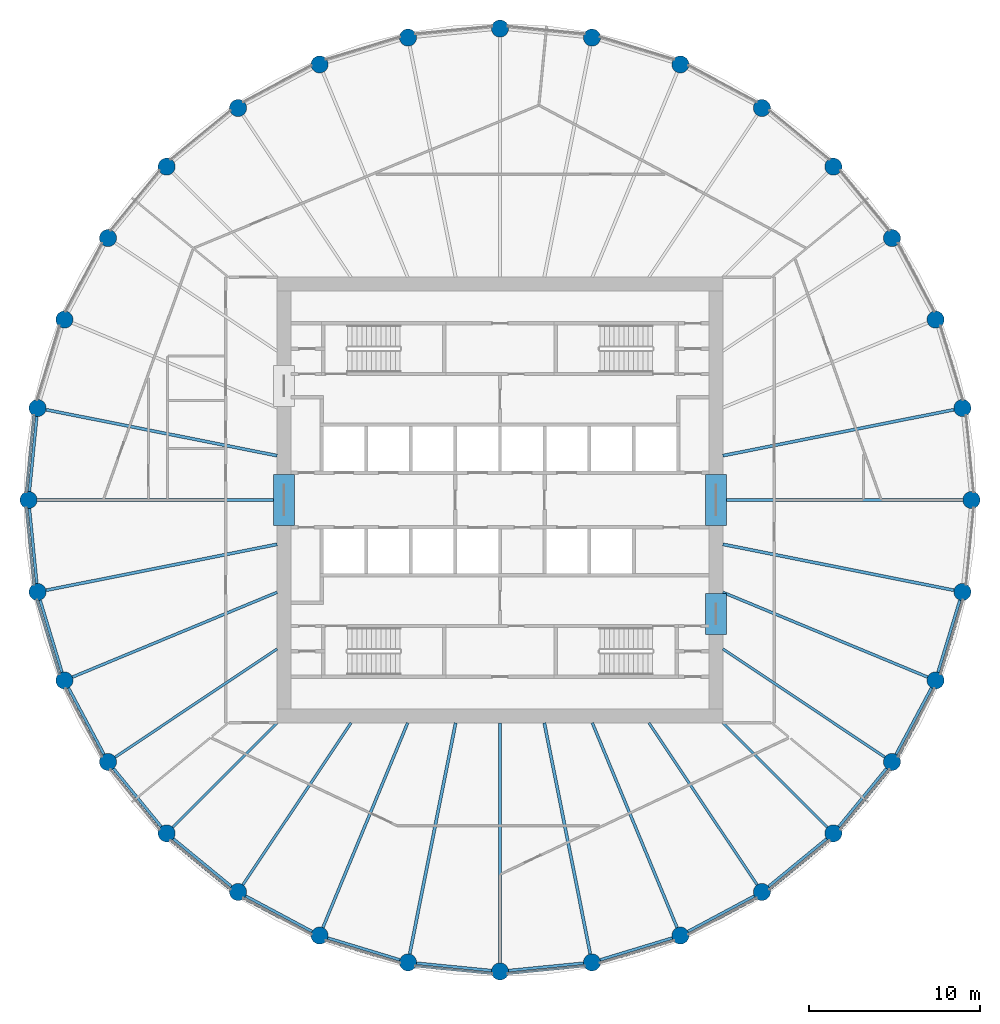
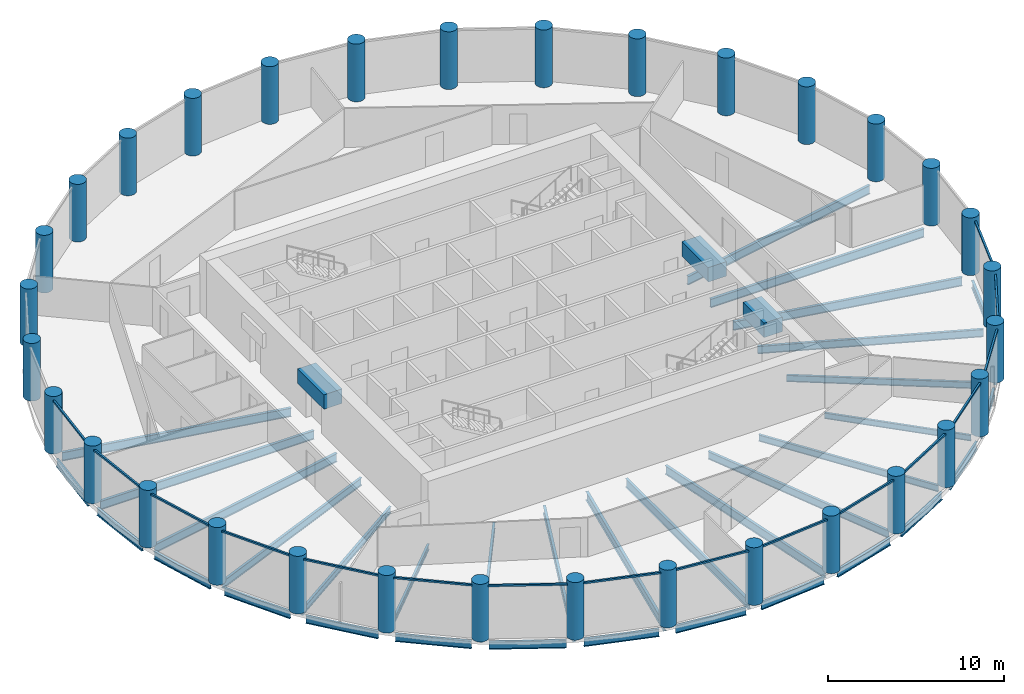
# One storey, part 1 of 8: 38 beams, 32 columns, 16 members, 16 elements without a shape of their own.
"""IFC4 building model written with IfcOpenShell, lengths in metres."""

from ifc_helpers import new_model, si_unit, direction, frame, origin, origin_2d, place, context, subcontext, project, spatial, rectangle, circle, i_section, extrude, material, material_profile, profile_set, type_object, element, aggregate, save


model = new_model("IFC4")

# Units and contexts
model_context = context("Model", 3, precision=1e-05, world=origin(), true_north=direction((0.0, 1.0)))
body_context = subcontext(model_context, "Body", "Model", "MODEL_VIEW")
ifc_project = project(units=[si_unit("LENGTHUNIT", "METRE"), si_unit("AREAUNIT", "SQUARE_METRE"), si_unit("VOLUMEUNIT", "CUBIC_METRE"), si_unit("PLANEANGLEUNIT", "RADIAN"), si_unit("MASSUNIT", "GRAM", prefix="KILO")], contexts=[model_context])

# Site, building, storey
site_placement = place(None, origin())
site = spatial("IfcSite", under=ifc_project, at=site_placement, CompositionType="ELEMENT")
building_placement = place(site_placement, origin())
building = spatial("IfcBuilding", under=site, at=building_placement, Name="Corvane Civic Tower", CompositionType="ELEMENT")
storey_placement = place(building_placement, frame((0.0, 0.0, 241.5)))
storey = spatial("IfcBuildingStorey", under=building, at=storey_placement, Name="L57", CompositionType="ELEMENT", Elevation=241.5)

# Columns
ifc_material_1 = material(Name="Concrete C60/75", Category="concrete")
ifc_material_profile_1 = material_profile(ifc_material_1, circle(Radius=0.5, at=origin_2d()), Name="COLUMN 1000")
ifc_profile_set_1 = profile_set([ifc_material_profile_1], Name="Concrete C60/75")
column_type = type_object("IfcColumnType", Name="RC COLUMN COLUMN 1000", PredefinedType="COLUMN", material=ifc_profile_set_1)
for number, where, z_axis, x_axis, name in (
    (1, (0.0, 27.5, 0.0), (0.0, 0.0, 1.0), (1.0, 0.0, 0.0), "COL-L57-D01"),
    (2, (5.364990234375, 26.9716796875, 0.0), (0.0, 0.0, 1.0), (1.0, 0.0, 0.0), "COL-L57-D02"),
    (3, (10.523681640625, 25.40673828125, 0.0), (0.0, 0.0, 1.0), (1.0, 0.0, 0.0), "COL-L57-D03"),
    (4, (15.278076171875, 22.865478515625, 0.0), (0.0, 0.0, 1.0), (1.0, 0.0, 0.0), "COL-L57-D04"),
    (5, (19.445556640625, 19.445556640625, 0.0), (0.0, 0.0, 1.0), (1.0, 0.0, 0.0), "COL-L57-D05"),
    (6, (22.865478515625, 15.278076171875, 0.0), (0.0, 0.0, 1.0), (1.0, 0.0, 0.0), "COL-L57-D06"),
    (7, (25.40673828125, 10.523681640625, 0.0), (0.0, 0.0, 1.0), (1.0, 0.0, 0.0), "COL-L57-D07"),
    (8, (26.9716796875, 5.364990234375, 0.0), (0.0, 0.0, 1.0), (1.0, 0.0, 0.0), "COL-L57-D08"),
    (9, (27.5, 0.0, 0.0), (0.0, 0.0, 1.0), (1.0, 0.0, 0.0), "COL-L57-D09"),
    (10, (26.9716796875, -5.364990234375, 0.0), (0.0, 0.0, 1.0), (1.0, 0.0, 0.0), "COL-L57-D10"),
    (11, (25.40673828125, -10.523681640625, 0.0), (0.0, 0.0, 1.0), (1.0, 0.0, 0.0), "COL-L57-D11"),
    (12, (22.865478515625, -15.278076171875, 0.0), (0.0, 0.0, 1.0), (1.0, 0.0, 0.0), "COL-L57-D12"),
    (13, (19.445556640625, -19.445556640625, 0.0), (0.0, 0.0, 1.0), (1.0, 0.0, 0.0), "COL-L57-D13"),
    (14, (15.278076171875, -22.865478515625, 0.0), (0.0, 0.0, 1.0), (1.0, 0.0, 0.0), "COL-L57-D14"),
    (15, (10.523681640625, -25.40673828125, 0.0), (0.0, 0.0, 1.0), (1.0, 0.0, 0.0), "COL-L57-D15"),
    (16, (5.364990234375, -26.9716796875, 0.0), (0.0, 0.0, 1.0), (1.0, 0.0, 0.0), "COL-L57-D16"),
    (17, (0.0, -27.5, 0.0), (0.0, 0.0, 1.0), (1.0, 0.0, 0.0), "COL-L57-D17"),
    (18, (-5.364990234375, -26.9716796875, 0.0), (0.0, 0.0, 1.0), (1.0, 0.0, 0.0), "COL-L57-D18"),
    (19, (-10.523681640625, -25.40673828125, 0.0), (0.0, 0.0, 1.0), (1.0, 0.0, 0.0), "COL-L57-D19"),
    (20, (-15.278076171875, -22.865478515625, 0.0), (0.0, 0.0, 1.0), (1.0, 0.0, 0.0), "COL-L57-D20"),
    (21, (-19.445556640625, -19.445556640625, 0.0), (0.0, 0.0, 1.0), (1.0, 0.0, 0.0), "COL-L57-D21"),
    (22, (-22.865478515625, -15.278076171875, 0.0), (0.0, 0.0, 1.0), (1.0, 0.0, 0.0), "COL-L57-D22"),
    (23, (-25.40673828125, -10.523681640625, 0.0), (0.0, 0.0, 1.0), (1.0, 0.0, 0.0), "COL-L57-D23"),
    (24, (-26.9716796875, -5.364990234375, 0.0), (0.0, 0.0, 1.0), (1.0, 0.0, 0.0), "COL-L57-D24"),
    (25, (-27.5, 0.0, 0.0), (0.0, 0.0, 1.0), (1.0, 0.0, 0.0), "COL-L57-D25"),
    (26, (-26.9716796875, 5.364990234375, 0.0), (0.0, 0.0, 1.0), (1.0, 0.0, 0.0), "COL-L57-D26"),
    (27, (-25.40673828125, 10.523681640625, 0.0), (0.0, 0.0, 1.0), (1.0, 0.0, 0.0), "COL-L57-D27"),
    (28, (-22.865478515625, 15.278076171875, 0.0), (0.0, 0.0, 1.0), (1.0, 0.0, 0.0), "COL-L57-D28"),
    (29, (-19.445556640625, 19.445556640625, 0.0), (0.0, 0.0, 1.0), (1.0, 0.0, 0.0), "COL-L57-D29"),
    (30, (-15.278076171875, 22.865478515625, 0.0), (0.0, 0.0, 1.0), (1.0, 0.0, 0.0), "COL-L57-D30"),
    (31, (-10.523681640625, 25.40673828125, 0.0), (0.0, 0.0, 1.0), (1.0, 0.0, 0.0), "COL-L57-D31"),
    (32, (-5.364990234375, 26.9716796875, 0.0), (0.0, 0.0, 1.0), (1.0, 0.0, 0.0), "COL-L57-D32"),
):
    element("IfcColumn", number, at=place(storey_placement, frame(where, z_axis=z_axis, x_axis=x_axis)), inside=storey, type_object=column_type, Name=name, PredefinedType="COLUMN", context=body_context, shape_type="SweptSolid", body=[
        extrude(circle(Radius=0.5, at=origin_2d()), origin(), (0.0, 0.0, 1.0), 4.0),
    ])

# Beams
ifc_material_2 = material(Name="Concrete C50/60", Category="concrete")
ifc_material_profile_2 = material_profile(ifc_material_2, rectangle(XDim=1.199951171875, YDim=1.0, at=origin_2d()), Name="COUPLING BEAM 1200X1000")
ifc_profile_set_2 = profile_set([ifc_material_profile_2], Name="Concrete C50/60")
beam_type_1 = type_object("IfcBeamType", Name="COUPLING BEAM COUPLING BEAM 1200X1000", PredefinedType="BEAM", material=ifc_profile_set_2)
for number, where, z_axis, x_axis, name in (
    (33, (-12.60009765625, -1.5, 2.60009765625), (0.0, 1.0, 0.0), (-1.0, 0.0, 0.0), "BM-L57-cpl-CW-LW"),
    (34, (12.60009765625, -1.5, 2.60009765625), (0.0, 1.0, 0.0), (-1.0, 0.0, 0.0), "BM-L57-cpl-CW-LE"),
):
    element("IfcBeam", number, at=place(storey_placement, frame(where, z_axis=z_axis, x_axis=x_axis)), inside=storey, type_object=beam_type_1, Name=name, PredefinedType="BEAM", context=body_context, shape_type="SweptSolid", body=[
        extrude(rectangle(XDim=1.199951171875, YDim=1.0, at=origin_2d()), origin(), (0.0, 0.0, 1.0), 3.0),
    ])
beam_1_placement = place(storey_placement, frame((12.60009765625, -7.85009765625, 2.60009765625), z_axis=(0.0, 1.0, 0.0), x_axis=(-1.0, 0.0, 0.0)))
element("IfcBeam", 35, at=beam_1_placement, inside=storey, type_object=beam_type_1, Name="BM-L57-cpl-CW-ES", PredefinedType="BEAM", context=body_context, shape_type="SweptSolid", body=[
    extrude(rectangle(XDim=1.199951171875, YDim=1.0, at=origin_2d()), origin(), (0.0, 0.0, 1.0), 2.400146484375),
])
ifc_material_3 = material(Name="Steel ASTM A992 Gr 50", Category="steel")
ifc_material_profile_3 = material_profile(ifc_material_3, i_section(OverallWidth=0.165771484375, OverallDepth=0.5283203125, WebThickness=0.009765625, FlangeThickness=0.013671875, at=origin_2d()), Name="W21X50")
ifc_profile_set_3 = profile_set([ifc_material_profile_3], Name="Steel ASTM A992 Gr 50")
beam_type_2 = type_object("IfcBeamType", Name="EDGE BEAM W21X50", PredefinedType="BEAM", material=ifc_profile_set_3)
beam_2_placement = place(storey_placement, frame((26.826416015625, -5.843505859375, -0.564208984375), z_axis=(-0.290254307888, -0.956949547653, 0.0), x_axis=(0.956949547653, -0.290254307888, 0.0)))
element("IfcBeam", 36, at=beam_2_placement, inside=storey, type_object=beam_type_2, Name="BM-L57-E10", PredefinedType="BEAM", context=body_context, shape_type="SweptSolid", body=[
    extrude(i_section(OverallWidth=0.165771484375, OverallDepth=0.5283203125, WebThickness=0.009765625, FlangeThickness=0.013671875, at=origin_2d()), origin(), (0.0, 0.0, 1.0), 4.390625),
])
for number, where, z_axis, x_axis, name in (
    (37, (25.171142578125, -10.964599609375, -0.564208984375), (-0.471422006704, -0.881907756852, 0.0), (0.881907756852, -0.471422006704, 0.0), "BM-L57-E11"),
    (38, (22.54833984375, -15.66455078125, -0.564208984375), (-0.634369433447, -0.773030026524, 0.0), (0.773030026524, -0.634369433447, 0.0), "BM-L57-E12"),
    (39, (19.05908203125, -19.7626953125, -0.564208984375), (-0.773030026524, -0.634369433447, 0.0), (0.634369433447, -0.773030026524, 0.0), "BM-L57-E13"),
    (40, (14.837158203125, -23.10107421875, -0.564208984375), (-0.881907756852, -0.471422006704, 0.0), (0.471422006704, -0.881907756852, 0.0), "BM-L57-E14"),
):
    element("IfcBeam", number, at=place(storey_placement, frame(where, z_axis=z_axis, x_axis=x_axis)), inside=storey, type_object=beam_type_2, Name=name, PredefinedType="BEAM", context=body_context, shape_type="SweptSolid", body=[
        extrude(i_section(OverallWidth=0.165771484375, OverallDepth=0.5283203125, WebThickness=0.009765625, FlangeThickness=0.013671875, at=origin_2d()), origin(), (0.0, 0.0, 1.0), 4.39111328125),
    ])
beam_3_placement = place(storey_placement, frame((10.045166015625, -25.552001953125, -0.564208984375), z_axis=(-0.956949547653, -0.290254307888, 0.0), x_axis=(0.290254307888, -0.956949547653, 0.0)))
element("IfcBeam", 41, at=beam_3_placement, inside=storey, type_object=beam_type_2, Name="BM-L57-E15", PredefinedType="BEAM", context=body_context, shape_type="SweptSolid", body=[
    extrude(i_section(OverallWidth=0.165771484375, OverallDepth=0.5283203125, WebThickness=0.009765625, FlangeThickness=0.013671875, at=origin_2d()), origin(), (0.0, 0.0, 1.0), 4.390625),
])
for number, where, z_axis, x_axis, name in (
    (42, (4.867431640625, -27.020751953125, -0.564208984375), (-0.995189593769, -0.097967711281, 0.0), (0.097967711281, -0.995189593769, 0.0), "BM-L57-E16"),
    (43, (-0.49755859375, -27.450927734375, -0.564208984375), (-0.995189593769, 0.097967711281, 0.0), (-0.097967711281, -0.995189593769, 0.0), "BM-L57-E17"),
):
    element("IfcBeam", number, at=place(storey_placement, frame(where, z_axis=z_axis, x_axis=x_axis)), inside=storey, type_object=beam_type_2, Name=name, PredefinedType="BEAM", context=body_context, shape_type="SweptSolid", body=[
        extrude(i_section(OverallWidth=0.165771484375, OverallDepth=0.5283203125, WebThickness=0.009765625, FlangeThickness=0.013671875, at=origin_2d()), origin(), (0.0, 0.0, 1.0), 4.39111328125),
    ])
beam_4_placement = place(storey_placement, frame((-5.843505859375, -26.826416015625, -0.564208984375), z_axis=(-0.956949547653, 0.290254307888, 0.0), x_axis=(-0.290254307888, -0.956949547653, 0.0)))
element("IfcBeam", 44, at=beam_4_placement, inside=storey, type_object=beam_type_2, Name="BM-L57-E18", PredefinedType="BEAM", context=body_context, shape_type="SweptSolid", body=[
    extrude(i_section(OverallWidth=0.165771484375, OverallDepth=0.5283203125, WebThickness=0.009765625, FlangeThickness=0.013671875, at=origin_2d()), origin(), (0.0, 0.0, 1.0), 4.390625),
])
for number, where, z_axis, x_axis, name in (
    (45, (-10.964599609375, -25.171142578125, -0.564208984375), (-0.881907756852, 0.471422006704, 0.0), (-0.471422006704, -0.881907756852, 0.0), "BM-L57-E19"),
    (46, (-15.66455078125, -22.54833984375, -0.564208984375), (-0.773030026524, 0.634369433447, 0.0), (-0.634369433447, -0.773030026524, 0.0), "BM-L57-E20"),
    (47, (-19.7626953125, -19.05908203125, -0.564208984375), (-0.634369433447, 0.773030026524, 0.0), (-0.773030026524, -0.634369433447, 0.0), "BM-L57-E21"),
    (48, (-23.10107421875, -14.837158203125, -0.564208984375), (-0.471422006704, 0.881907756852, 0.0), (-0.881907756852, -0.471422006704, 0.0), "BM-L57-E22"),
):
    element("IfcBeam", number, at=place(storey_placement, frame(where, z_axis=z_axis, x_axis=x_axis)), inside=storey, type_object=beam_type_2, Name=name, PredefinedType="BEAM", context=body_context, shape_type="SweptSolid", body=[
        extrude(i_section(OverallWidth=0.165771484375, OverallDepth=0.5283203125, WebThickness=0.009765625, FlangeThickness=0.013671875, at=origin_2d()), origin(), (0.0, 0.0, 1.0), 4.39111328125),
    ])
beam_5_placement = place(storey_placement, frame((-25.552001953125, -10.045166015625, -0.564208984375), z_axis=(-0.290254307888, 0.956949547653, 0.0), x_axis=(-0.956949547653, -0.290254307888, 0.0)))
element("IfcBeam", 49, at=beam_5_placement, inside=storey, type_object=beam_type_2, Name="BM-L57-E23", PredefinedType="BEAM", context=body_context, shape_type="SweptSolid", body=[
    extrude(i_section(OverallWidth=0.165771484375, OverallDepth=0.5283203125, WebThickness=0.009765625, FlangeThickness=0.013671875, at=origin_2d()), origin(), (0.0, 0.0, 1.0), 4.390625),
])
for number, where, z_axis, x_axis, name in (
    (50, (-27.020751953125, -4.867431640625, -0.564208984375), (-0.097967711281, 0.995189593769, 0.0), (-0.995189593769, -0.097967711281, 0.0), "BM-L57-E24"),
    (51, (-27.450927734375, 0.49755859375, -0.564208984375), (0.097967711281, 0.995189593769, 0.0), (-0.995189593769, 0.097967711281, 0.0), "BM-L57-E25"),
):
    element("IfcBeam", number, at=place(storey_placement, frame(where, z_axis=z_axis, x_axis=x_axis)), inside=storey, type_object=beam_type_2, Name=name, PredefinedType="BEAM", context=body_context, shape_type="SweptSolid", body=[
        extrude(i_section(OverallWidth=0.165771484375, OverallDepth=0.5283203125, WebThickness=0.009765625, FlangeThickness=0.013671875, at=origin_2d()), origin(), (0.0, 0.0, 1.0), 4.39111328125),
    ])
ifc_material_4 = material(Name="Steel ASTM A992 Gr 50", Category="steel")
ifc_material_profile_4 = material_profile(ifc_material_4, i_section(OverallWidth=0.140380859375, OverallDepth=0.40380859375, WebThickness=0.007080078125, FlangeThickness=0.01123046875, at=origin_2d()), Name="W16X31")
ifc_profile_set_4 = profile_set([ifc_material_profile_4], Name="Steel ASTM A992 Gr 50")
beam_type_3 = type_object("IfcBeamType", Name="FLOOR GIRDER W16X31", PredefinedType="BEAM", material=ifc_profile_set_4)
for number, where, z_axis, x_axis, name in (
    (52, (13.0, -13.0, -0.501953125), (0.707106781187, -0.707106781187, 0.0), (0.707106781187, 0.707106781187, 0.0), "BM-L57-G13"),
    (53, (-13.0, -13.0, -0.501953125), (-0.707106781187, -0.707106781187, 0.0), (0.707106781187, -0.707106781187, 0.0), "BM-L57-G21"),
):
    element("IfcBeam", number, at=place(storey_placement, frame(where, z_axis=z_axis, x_axis=x_axis)), inside=storey, type_object=beam_type_3, Name=name, PredefinedType="BEAM", context=body_context, shape_type="SweptSolid", body=[
        extrude(i_section(OverallWidth=0.140380859375, OverallDepth=0.40380859375, WebThickness=0.007080078125, FlangeThickness=0.01123046875, at=origin_2d()), origin(), (0.0, 0.0, 1.0), 8.614990234375),
    ])
ifc_material_5 = material(Name="Steel ASTM A992 Gr 50", Category="steel")
ifc_material_profile_5 = material_profile(ifc_material_5, i_section(OverallWidth=0.15283203125, OverallDepth=0.45458984375, WebThickness=0.008056640625, FlangeThickness=0.013427734375, at=origin_2d()), Name="W18X40")
ifc_profile_set_5 = profile_set([ifc_material_profile_5], Name="Steel ASTM A992 Gr 50")
beam_type_4 = type_object("IfcBeamType", Name="FLOOR GIRDER W18X40", PredefinedType="BEAM", material=ifc_profile_set_5)
for number, where, z_axis, x_axis, name in (
    (54, (13.0, -8.686279296875, -0.52734375), (0.831464872557, -0.555577326485, 0.0), (0.555577326485, 0.831464872557, 0.0), "BM-L57-G12"),
    (55, (8.686279296875, -13.0, -0.52734375), (0.555577326485, -0.831464872557, 0.0), (0.831464872557, 0.555577326485, 0.0), "BM-L57-G14"),
    (56, (-8.686279296875, -13.0, -0.52734375), (-0.555577326485, -0.831464872557, 0.0), (0.831464872557, -0.555577326485, 0.0), "BM-L57-G20"),
    (57, (-13.0, -8.686279296875, -0.52734375), (-0.831464872557, -0.555577326485, 0.0), (0.555577326485, -0.831464872557, 0.0), "BM-L57-G22"),
):
    element("IfcBeam", number, at=place(storey_placement, frame(where, z_axis=z_axis, x_axis=x_axis)), inside=storey, type_object=beam_type_4, Name=name, PredefinedType="BEAM", context=body_context, shape_type="SweptSolid", body=[
        extrude(i_section(OverallWidth=0.15283203125, OverallDepth=0.45458984375, WebThickness=0.008056640625, FlangeThickness=0.013427734375, at=origin_2d()), origin(), (0.0, 0.0, 1.0), 11.365234375),
    ])
ifc_material_6 = material(Name="Steel ASTM A992 Gr 50", Category="steel")
ifc_material_profile_6 = material_profile(ifc_material_6, i_section(OverallWidth=0.165771484375, OverallDepth=0.5283203125, WebThickness=0.009765625, FlangeThickness=0.013671875, at=origin_2d()), Name="W21X50")
ifc_profile_set_6 = profile_set([ifc_material_profile_6], Name="Steel ASTM A992 Gr 50")
beam_type_5 = type_object("IfcBeamType", Name="FLOOR GIRDER W21X50", PredefinedType="BEAM", material=ifc_profile_set_6)
for number, where, z_axis, x_axis, name in (
    (58, (13.0, -5.384765625, -0.564208984375), (0.923878282404, -0.382686450378, 0.0), (0.382686450378, 0.923878282404, 0.0), "BM-L57-G11"),
    (59, (5.384765625, -13.0, -0.564208984375), (0.382686450378, -0.923878282404, 0.0), (0.923878282404, 0.382686450378, 0.0), "BM-L57-G15"),
    (60, (-5.384765625, -13.0, -0.564208984375), (-0.382686450378, -0.923878282404, 0.0), (0.923878282404, -0.382686450378, 0.0), "BM-L57-G19"),
    (61, (-13.0, -5.384765625, -0.564208984375), (-0.923878282404, -0.382686450378, 0.0), (0.382686450378, -0.923878282404, 0.0), "BM-L57-G23"),
):
    element("IfcBeam", number, at=place(storey_placement, frame(where, z_axis=z_axis, x_axis=x_axis)), inside=storey, type_object=beam_type_5, Name=name, PredefinedType="BEAM", context=body_context, shape_type="SweptSolid", body=[
        extrude(i_section(OverallWidth=0.165771484375, OverallDepth=0.5283203125, WebThickness=0.009765625, FlangeThickness=0.013671875, at=origin_2d()), origin(), (0.0, 0.0, 1.0), 12.928955078125),
    ])
ifc_material_7 = material(Name="Steel ASTM A992 Gr 50", Category="steel")
ifc_material_profile_7 = material_profile(ifc_material_7, i_section(OverallWidth=0.177978515625, OverallDepth=0.599365234375, WebThickness=0.010009765625, FlangeThickness=0.012939453125, at=origin_2d()), Name="W24X55")
ifc_profile_set_7 = profile_set([ifc_material_profile_7], Name="Steel ASTM A992 Gr 50")
beam_type_6 = type_object("IfcBeamType", Name="FLOOR GIRDER W24X55", PredefinedType="BEAM", material=ifc_profile_set_7)
beam_6_placement = place(storey_placement, frame((13.0, 2.5859375, -0.599609375), z_axis=(0.980787802109, 0.195077644118, 0.0), x_axis=(-0.195077644118, 0.980787802109, 0.0)))
element("IfcBeam", 62, at=beam_6_placement, inside=storey, type_object=beam_type_6, Name="BM-L57-G08", PredefinedType="BEAM", context=body_context, shape_type="SweptSolid", body=[
    extrude(i_section(OverallWidth=0.177978515625, OverallDepth=0.599365234375, WebThickness=0.010009765625, FlangeThickness=0.012939453125, at=origin_2d()), origin(), (0.0, 0.0, 1.0), 13.745361328125),
])
beam_7_placement = place(storey_placement, frame((13.0, 0.0, -0.599609375), z_axis=(1.0, 0.0, 0.0), x_axis=(0.0, 1.0, 0.0)))
element("IfcBeam", 63, at=beam_7_placement, inside=storey, type_object=beam_type_6, Name="BM-L57-G09", PredefinedType="BEAM", context=body_context, shape_type="SweptSolid", body=[
    extrude(i_section(OverallWidth=0.177978515625, OverallDepth=0.599365234375, WebThickness=0.010009765625, FlangeThickness=0.012939453125, at=origin_2d()), origin(), (0.0, 0.0, 1.0), 14.0),
])
for number, where, z_axis, x_axis, name in (
    (64, (13.0, -2.5859375, -0.599609375), (0.980787802109, -0.195077644118, 0.0), (0.195077644118, 0.980787802109, 0.0), "BM-L57-G10"),
    (65, (2.5859375, -13.0, -0.599609375), (0.195077644118, -0.980787802109, 0.0), (0.980787802109, 0.195077644118, 0.0), "BM-L57-G16"),
):
    element("IfcBeam", number, at=place(storey_placement, frame(where, z_axis=z_axis, x_axis=x_axis)), inside=storey, type_object=beam_type_6, Name=name, PredefinedType="BEAM", context=body_context, shape_type="SweptSolid", body=[
        extrude(i_section(OverallWidth=0.177978515625, OverallDepth=0.599365234375, WebThickness=0.010009765625, FlangeThickness=0.012939453125, at=origin_2d()), origin(), (0.0, 0.0, 1.0), 13.745361328125),
    ])
beam_8_placement = place(storey_placement, frame((0.0, -13.0, -0.599609375), z_axis=(0.0, -1.0, 0.0), x_axis=(1.0, 0.0, 0.0)))
element("IfcBeam", 66, at=beam_8_placement, inside=storey, type_object=beam_type_6, Name="BM-L57-G17", PredefinedType="BEAM", context=body_context, shape_type="SweptSolid", body=[
    extrude(i_section(OverallWidth=0.177978515625, OverallDepth=0.599365234375, WebThickness=0.010009765625, FlangeThickness=0.012939453125, at=origin_2d()), origin(), (0.0, 0.0, 1.0), 14.0),
])
for number, where, z_axis, x_axis, name in (
    (67, (-2.5859375, -13.0, -0.599609375), (-0.195077644118, -0.980787802109, 0.0), (0.980787802109, -0.195077644118, 0.0), "BM-L57-G18"),
    (68, (-13.0, -2.5859375, -0.599609375), (-0.980787802109, -0.195077644118, 0.0), (0.195077644118, -0.980787802109, 0.0), "BM-L57-G24"),
):
    element("IfcBeam", number, at=place(storey_placement, frame(where, z_axis=z_axis, x_axis=x_axis)), inside=storey, type_object=beam_type_6, Name=name, PredefinedType="BEAM", context=body_context, shape_type="SweptSolid", body=[
        extrude(i_section(OverallWidth=0.177978515625, OverallDepth=0.599365234375, WebThickness=0.010009765625, FlangeThickness=0.012939453125, at=origin_2d()), origin(), (0.0, 0.0, 1.0), 13.745361328125),
    ])
beam_9_placement = place(storey_placement, frame((-13.0, 0.0, -0.599609375), z_axis=(-1.0, 0.0, 0.0), x_axis=(0.0, -1.0, 0.0)))
element("IfcBeam", 69, at=beam_9_placement, inside=storey, type_object=beam_type_6, Name="BM-L57-G25", PredefinedType="BEAM", context=body_context, shape_type="SweptSolid", body=[
    extrude(i_section(OverallWidth=0.177978515625, OverallDepth=0.599365234375, WebThickness=0.010009765625, FlangeThickness=0.012939453125, at=origin_2d()), origin(), (0.0, 0.0, 1.0), 14.0),
])
beam_10_placement = place(storey_placement, frame((-13.0, 2.5859375, -0.599609375), z_axis=(-0.980787802109, 0.195077644118, 0.0), x_axis=(-0.195077644118, -0.980787802109, 0.0)))
element("IfcBeam", 70, at=beam_10_placement, inside=storey, type_object=beam_type_6, Name="BM-L57-G26", PredefinedType="BEAM", context=body_context, shape_type="SweptSolid", body=[
    extrude(i_section(OverallWidth=0.177978515625, OverallDepth=0.599365234375, WebThickness=0.010009765625, FlangeThickness=0.012939453125, at=origin_2d()), origin(), (0.0, 0.0, 1.0), 13.745361328125),
])

# Curtain wall, member
ifc_material_8 = material(Name="Anodised aluminium bronze", Category="aluminium")
curtain_wall_type = type_object("IfcCurtainWallType", Name="TOWER CW-T2 STICK CURTAIN WALL", PredefinedType="NOTDEFINED", material=ifc_material_8)
curtain_wall_1_placement = place(storey_placement, origin())
curtain_wall_1 = element("IfcCurtainWall", 71, at=curtain_wall_1_placement, inside=storey, type_object=curtain_wall_type, Name="Curtain wall CW-T2 L57 bay 10", PredefinedType="NOTDEFINED")
ifc_material_9 = material(Name="Anodised aluminium bronze", Category="aluminium")
ifc_material_profile_8 = material_profile(ifc_material_9, rectangle(XDim=0.1201171875, YDim=0.1201171875, at=origin_2d()), Name="TOWER CW-T2 TRANSOM 120x120")
ifc_profile_set_8 = profile_set([ifc_material_profile_8], Name="Anodised aluminium bronze")
member_type = type_object("IfcMemberType", Name="TOWER CW-T2 TRANSOM 120x120", PredefinedType="USERDEFINED", material=ifc_profile_set_8)
member_1_placement = place(storey_placement, frame((27.016357421875, -5.8349609375, 3.68994140625), z_axis=(-0.2902818869, -0.956941182173, 0.0), x_axis=(0.956941182173, -0.2902818869, 0.0)))
member_1 = element("IfcMember", 72, at=member_1_placement, type_object=member_type, Name="Transom CW-T2 L57 10.1", ObjectType="TRANSOM", PredefinedType="USERDEFINED", context=body_context, shape_type="SweptSolid", body=[
    extrude(rectangle(XDim=0.1201171875, YDim=0.1201171875, at=origin_2d()), origin(), (0.0, 0.0, 1.0), 4.517333984375),
])
aggregate(curtain_wall_1, [member_1])

curtain_wall_2_placement = place(storey_placement, origin())
curtain_wall_2 = element("IfcCurtainWall", 73, at=curtain_wall_2_placement, inside=storey, type_object=curtain_wall_type, Name="Curtain wall CW-T2 L57 bay 11", PredefinedType="NOTDEFINED")
member_2_placement = place(storey_placement, frame((25.35888671875, -10.993408203125, 3.68994140625), z_axis=(-0.471390317183, -0.881924695689, 0.0), x_axis=(0.881924695689, -0.471390317183, 0.0)))
member_2 = element("IfcMember", 74, at=member_2_placement, type_object=member_type, Name="Transom CW-T2 L57 11.1", ObjectType="TRANSOM", PredefinedType="USERDEFINED", context=body_context, shape_type="SweptSolid", body=[
    extrude(rectangle(XDim=0.1201171875, YDim=0.1201171875, at=origin_2d()), origin(), (0.0, 0.0, 1.0), 4.517333984375),
])
aggregate(curtain_wall_2, [member_2])

curtain_wall_3_placement = place(storey_placement, origin())
curtain_wall_3 = element("IfcCurtainWall", 75, at=curtain_wall_3_placement, inside=storey, type_object=curtain_wall_type, Name="Curtain wall CW-T2 L57 bay 12", PredefinedType="NOTDEFINED")
member_3_placement = place(storey_placement, frame((22.726806640625, -15.7294921875, 3.68994140625), z_axis=(-0.634387834569, -0.773014925698, 0.0), x_axis=(0.773014925698, -0.634387834569, 0.0)))
member_3 = element("IfcMember", 76, at=member_3_placement, type_object=member_type, Name="Transom CW-T2 L57 12.1", ObjectType="TRANSOM", PredefinedType="USERDEFINED", context=body_context, shape_type="SweptSolid", body=[
    extrude(rectangle(XDim=0.1201171875, YDim=0.1201171875, at=origin_2d()), origin(), (0.0, 0.0, 1.0), 4.517333984375),
])
aggregate(curtain_wall_3, [member_3])

curtain_wall_4_placement = place(storey_placement, origin())
curtain_wall_4 = element("IfcCurtainWall", 77, at=curtain_wall_4_placement, inside=storey, type_object=curtain_wall_type, Name="Curtain wall CW-T2 L57 bay 13", PredefinedType="NOTDEFINED")
member_4_placement = place(storey_placement, frame((19.221435546875, -19.861083984375, 3.68994140625), z_axis=(-0.773014925698, -0.634387834569, 0.0), x_axis=(0.634387834569, -0.773014925698, 0.0)))
member_4 = element("IfcMember", 78, at=member_4_placement, type_object=member_type, Name="Transom CW-T2 L57 13.1", ObjectType="TRANSOM", PredefinedType="USERDEFINED", context=body_context, shape_type="SweptSolid", body=[
    extrude(rectangle(XDim=0.1201171875, YDim=0.1201171875, at=origin_2d()), origin(), (0.0, 0.0, 1.0), 4.517333984375),
])
aggregate(curtain_wall_4, [member_4])

curtain_wall_5_placement = place(storey_placement, origin())
curtain_wall_5 = element("IfcCurtainWall", 79, at=curtain_wall_5_placement, inside=storey, type_object=curtain_wall_type, Name="Curtain wall CW-T2 L57 bay 14", PredefinedType="NOTDEFINED")
member_5_placement = place(storey_placement, frame((14.977294921875, -23.2294921875, 3.68994140625), z_axis=(-0.881924695689, -0.471390317183, 0.0), x_axis=(0.471390317183, -0.881924695689, 0.0)))
member_5 = element("IfcMember", 80, at=member_5_placement, type_object=member_type, Name="Transom CW-T2 L57 14.1", ObjectType="TRANSOM", PredefinedType="USERDEFINED", context=body_context, shape_type="SweptSolid", body=[
    extrude(rectangle(XDim=0.1201171875, YDim=0.1201171875, at=origin_2d()), origin(), (0.0, 0.0, 1.0), 4.517333984375),
])
aggregate(curtain_wall_5, [member_5])

curtain_wall_6_placement = place(storey_placement, origin())
curtain_wall_6 = element("IfcCurtainWall", 81, at=curtain_wall_6_placement, inside=storey, type_object=curtain_wall_type, Name="Curtain wall CW-T2 L57 bay 15", PredefinedType="NOTDEFINED")
member_6_placement = place(storey_placement, frame((10.15771484375, -25.705078125, 3.68994140625), z_axis=(-0.956941182173, -0.2902818869, 0.0), x_axis=(0.2902818869, -0.956941182173, 0.0)))
member_6 = element("IfcMember", 82, at=member_6_placement, type_object=member_type, Name="Transom CW-T2 L57 15.1", ObjectType="TRANSOM", PredefinedType="USERDEFINED", context=body_context, shape_type="SweptSolid", body=[
    extrude(rectangle(XDim=0.1201171875, YDim=0.1201171875, at=origin_2d()), origin(), (0.0, 0.0, 1.0), 4.517333984375),
])
aggregate(curtain_wall_6, [member_6])

curtain_wall_7_placement = place(storey_placement, origin())
curtain_wall_7 = element("IfcCurtainWall", 83, at=curtain_wall_7_placement, inside=storey, type_object=curtain_wall_type, Name="Curtain wall CW-T2 L57 bay 16", PredefinedType="NOTDEFINED")
member_7_placement = place(storey_placement, frame((4.94775390625, -27.192626953125, 3.68994140625), z_axis=(-0.995182207386, -0.098042715701, 0.0), x_axis=(0.098042715701, -0.995182207386, 0.0)))
member_7 = element("IfcMember", 84, at=member_7_placement, type_object=member_type, Name="Transom CW-T2 L57 16.1", ObjectType="TRANSOM", PredefinedType="USERDEFINED", context=body_context, shape_type="SweptSolid", body=[
    extrude(rectangle(XDim=0.1201171875, YDim=0.1201171875, at=origin_2d()), origin(), (0.0, 0.0, 1.0), 4.51708984375),
])
aggregate(curtain_wall_7, [member_7])

curtain_wall_8_placement = place(storey_placement, origin())
curtain_wall_8 = element("IfcCurtainWall", 85, at=curtain_wall_8_placement, inside=storey, type_object=curtain_wall_type, Name="Curtain wall CW-T2 L57 bay 17", PredefinedType="NOTDEFINED")
member_8_placement = place(storey_placement, frame((-0.452392578125, -27.635498046875, 3.68994140625), z_axis=(-0.995182207386, 0.098042715701, 0.0), x_axis=(-0.098042715701, -0.995182207386, 0.0)))
member_8 = element("IfcMember", 86, at=member_8_placement, type_object=member_type, Name="Transom CW-T2 L57 17.1", ObjectType="TRANSOM", PredefinedType="USERDEFINED", context=body_context, shape_type="SweptSolid", body=[
    extrude(rectangle(XDim=0.1201171875, YDim=0.1201171875, at=origin_2d()), origin(), (0.0, 0.0, 1.0), 4.51708984375),
])
aggregate(curtain_wall_8, [member_8])

curtain_wall_9_placement = place(storey_placement, origin())
curtain_wall_9 = element("IfcCurtainWall", 87, at=curtain_wall_9_placement, inside=storey, type_object=curtain_wall_type, Name="Curtain wall CW-T2 L57 bay 18", PredefinedType="NOTDEFINED")
member_9_placement = place(storey_placement, frame((-5.8349609375, -27.016357421875, 3.68994140625), z_axis=(-0.956941182173, 0.2902818869, 0.0), x_axis=(-0.2902818869, -0.956941182173, 0.0)))
member_9 = element("IfcMember", 88, at=member_9_placement, type_object=member_type, Name="Transom CW-T2 L57 18.1", ObjectType="TRANSOM", PredefinedType="USERDEFINED", context=body_context, shape_type="SweptSolid", body=[
    extrude(rectangle(XDim=0.1201171875, YDim=0.1201171875, at=origin_2d()), origin(), (0.0, 0.0, 1.0), 4.517333984375),
])
aggregate(curtain_wall_9, [member_9])

curtain_wall_10_placement = place(storey_placement, origin())
curtain_wall_10 = element("IfcCurtainWall", 89, at=curtain_wall_10_placement, inside=storey, type_object=curtain_wall_type, Name="Curtain wall CW-T2 L57 bay 19", PredefinedType="NOTDEFINED")
member_10_placement = place(storey_placement, frame((-10.993408203125, -25.35888671875, 3.68994140625), z_axis=(-0.881924695689, 0.471390317183, 0.0), x_axis=(-0.471390317183, -0.881924695689, 0.0)))
member_10 = element("IfcMember", 90, at=member_10_placement, type_object=member_type, Name="Transom CW-T2 L57 19.1", ObjectType="TRANSOM", PredefinedType="USERDEFINED", context=body_context, shape_type="SweptSolid", body=[
    extrude(rectangle(XDim=0.1201171875, YDim=0.1201171875, at=origin_2d()), origin(), (0.0, 0.0, 1.0), 4.517333984375),
])
aggregate(curtain_wall_10, [member_10])

curtain_wall_11_placement = place(storey_placement, origin())
curtain_wall_11 = element("IfcCurtainWall", 91, at=curtain_wall_11_placement, inside=storey, type_object=curtain_wall_type, Name="Curtain wall CW-T2 L57 bay 20", PredefinedType="NOTDEFINED")
member_11_placement = place(storey_placement, frame((-15.7294921875, -22.726806640625, 3.68994140625), z_axis=(-0.773014925698, 0.634387834569, 0.0), x_axis=(-0.634387834569, -0.773014925698, 0.0)))
member_11 = element("IfcMember", 92, at=member_11_placement, type_object=member_type, Name="Transom CW-T2 L57 20.1", ObjectType="TRANSOM", PredefinedType="USERDEFINED", context=body_context, shape_type="SweptSolid", body=[
    extrude(rectangle(XDim=0.1201171875, YDim=0.1201171875, at=origin_2d()), origin(), (0.0, 0.0, 1.0), 4.517333984375),
])
aggregate(curtain_wall_11, [member_11])

curtain_wall_12_placement = place(storey_placement, origin())
curtain_wall_12 = element("IfcCurtainWall", 93, at=curtain_wall_12_placement, inside=storey, type_object=curtain_wall_type, Name="Curtain wall CW-T2 L57 bay 21", PredefinedType="NOTDEFINED")
member_12_placement = place(storey_placement, frame((-19.861083984375, -19.221435546875, 3.68994140625), z_axis=(-0.634387834569, 0.773014925698, 0.0), x_axis=(-0.773014925698, -0.634387834569, 0.0)))
member_12 = element("IfcMember", 94, at=member_12_placement, type_object=member_type, Name="Transom CW-T2 L57 21.1", ObjectType="TRANSOM", PredefinedType="USERDEFINED", context=body_context, shape_type="SweptSolid", body=[
    extrude(rectangle(XDim=0.1201171875, YDim=0.1201171875, at=origin_2d()), origin(), (0.0, 0.0, 1.0), 4.517333984375),
])
aggregate(curtain_wall_12, [member_12])

curtain_wall_13_placement = place(storey_placement, origin())
curtain_wall_13 = element("IfcCurtainWall", 95, at=curtain_wall_13_placement, inside=storey, type_object=curtain_wall_type, Name="Curtain wall CW-T2 L57 bay 22", PredefinedType="NOTDEFINED")
member_13_placement = place(storey_placement, frame((-23.2294921875, -14.977294921875, 3.68994140625), z_axis=(-0.471390317183, 0.881924695689, 0.0), x_axis=(-0.881924695689, -0.471390317183, 0.0)))
member_13 = element("IfcMember", 96, at=member_13_placement, type_object=member_type, Name="Transom CW-T2 L57 22.1", ObjectType="TRANSOM", PredefinedType="USERDEFINED", context=body_context, shape_type="SweptSolid", body=[
    extrude(rectangle(XDim=0.1201171875, YDim=0.1201171875, at=origin_2d()), origin(), (0.0, 0.0, 1.0), 4.517333984375),
])
aggregate(curtain_wall_13, [member_13])

curtain_wall_14_placement = place(storey_placement, origin())
curtain_wall_14 = element("IfcCurtainWall", 97, at=curtain_wall_14_placement, inside=storey, type_object=curtain_wall_type, Name="Curtain wall CW-T2 L57 bay 23", PredefinedType="NOTDEFINED")
member_14_placement = place(storey_placement, frame((-25.705078125, -10.15771484375, 3.68994140625), z_axis=(-0.2902818869, 0.956941182173, 0.0), x_axis=(-0.956941182173, -0.2902818869, 0.0)))
member_14 = element("IfcMember", 98, at=member_14_placement, type_object=member_type, Name="Transom CW-T2 L57 23.1", ObjectType="TRANSOM", PredefinedType="USERDEFINED", context=body_context, shape_type="SweptSolid", body=[
    extrude(rectangle(XDim=0.1201171875, YDim=0.1201171875, at=origin_2d()), origin(), (0.0, 0.0, 1.0), 4.517333984375),
])
aggregate(curtain_wall_14, [member_14])

curtain_wall_15_placement = place(storey_placement, origin())
curtain_wall_15 = element("IfcCurtainWall", 99, at=curtain_wall_15_placement, inside=storey, type_object=curtain_wall_type, Name="Curtain wall CW-T2 L57 bay 24", PredefinedType="NOTDEFINED")
member_15_placement = place(storey_placement, frame((-27.192626953125, -4.94775390625, 3.68994140625), z_axis=(-0.098042715701, 0.995182207386, 0.0), x_axis=(-0.995182207386, -0.098042715701, 0.0)))
member_15 = element("IfcMember", 100, at=member_15_placement, type_object=member_type, Name="Transom CW-T2 L57 24.1", ObjectType="TRANSOM", PredefinedType="USERDEFINED", context=body_context, shape_type="SweptSolid", body=[
    extrude(rectangle(XDim=0.1201171875, YDim=0.1201171875, at=origin_2d()), origin(), (0.0, 0.0, 1.0), 4.51708984375),
])
aggregate(curtain_wall_15, [member_15])

curtain_wall_16_placement = place(storey_placement, origin())
curtain_wall_16 = element("IfcCurtainWall", 101, at=curtain_wall_16_placement, inside=storey, type_object=curtain_wall_type, Name="Curtain wall CW-T2 L57 bay 25", PredefinedType="NOTDEFINED")
member_16_placement = place(storey_placement, frame((-27.635498046875, 0.452392578125, 3.68994140625), z_axis=(0.098042715701, 0.995182207386, 0.0), x_axis=(-0.995182207386, 0.098042715701, 0.0)))
member_16 = element("IfcMember", 102, at=member_16_placement, type_object=member_type, Name="Transom CW-T2 L57 25.1", ObjectType="TRANSOM", PredefinedType="USERDEFINED", context=body_context, shape_type="SweptSolid", body=[
    extrude(rectangle(XDim=0.1201171875, YDim=0.1201171875, at=origin_2d()), origin(), (0.0, 0.0, 1.0), 4.51708984375),
])
aggregate(curtain_wall_16, [member_16])

save(model, "model.ifc")
